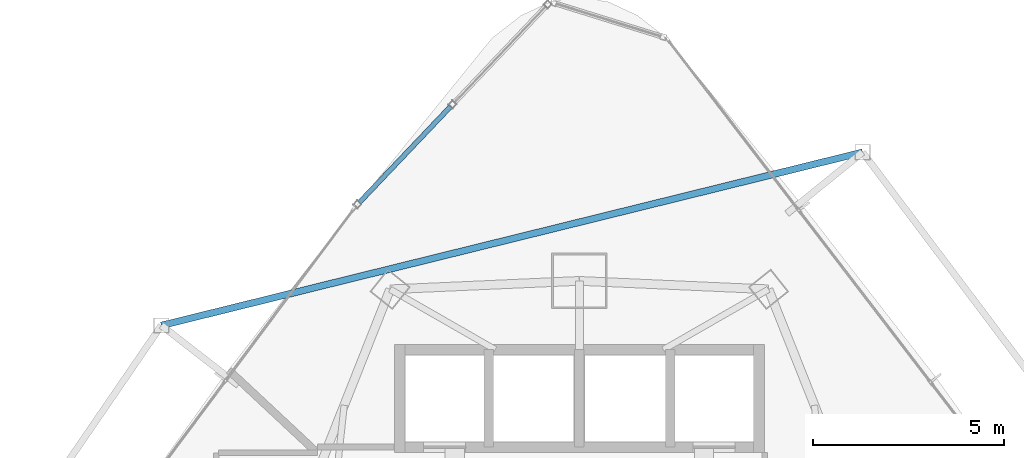
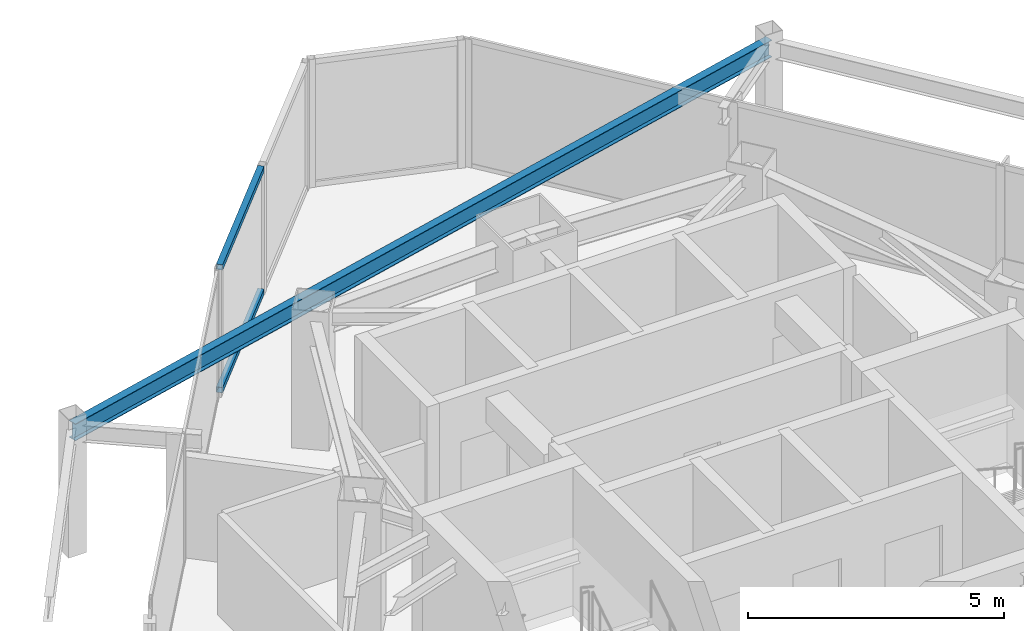
# One storey, part 21 of 30: 2 members, 1 beam, 1 element without a shape of its own.
"""IFC4 building model written with IfcOpenShell, lengths in metres."""

from ifc_helpers import new_model, si_unit, direction, frame, origin, origin_2d, place, context, subcontext, project, spatial, hollow_rectangle, i_section, extrude, material, layer, layer_set, material_profile, profile_set, type_object, element, aggregate, save


model = new_model("IFC4")

# Units and contexts
model_context = context("Model", 3, precision=1e-05, world=origin(), true_north=direction((0.0, 1.0)))
body_context = subcontext(model_context, "Body", "Model", "MODEL_VIEW")
ifc_project = project(units=[si_unit("LENGTHUNIT", "METRE"), si_unit("AREAUNIT", "SQUARE_METRE"), si_unit("VOLUMEUNIT", "CUBIC_METRE"), si_unit("PLANEANGLEUNIT", "RADIAN"), si_unit("MASSUNIT", "GRAM", prefix="KILO")], contexts=[model_context])

# Site, building, storey
site_placement = place(None, origin())
site = spatial("IfcSite", under=ifc_project, at=site_placement, CompositionType="ELEMENT")
building_placement = place(site_placement, origin())
building = spatial("IfcBuilding", under=site, at=building_placement, Name="Orvanel Arch Residences", CompositionType="ELEMENT")
storey_placement = place(building_placement, frame((0.0, 0.0, 139.699951171875)))
storey = spatial("IfcBuildingStorey", under=building, at=storey_placement, Name="L39", CompositionType="ELEMENT", Elevation=139.699951171875)

# Beam
ifc_material_1 = material(Name="Structural steel AS/NZS 3679.1 Grade 300 (300 MPa)", Category="steel")
ifc_material_profile_1 = material_profile(ifc_material_1, i_section(OverallWidth=0.177978515625, OverallDepth=0.406005859375, WebThickness=0.0078125, FlangeThickness=0.0126953125, at=origin_2d()), Name="410UB59.7")
ifc_profile_set_1 = profile_set([ifc_material_profile_1], Name="Structural steel AS/NZS 3679.1 Grade 300 (300 MPa)")
beam_type = type_object("IfcBeamType", Name="OB-410UB-EXT", PredefinedType="SPANDREL", material=ifc_profile_set_1)
beam_placement = place(storey_placement, frame((40.410888671875, 44.762939453125, 2.85693359375), z_axis=(-0.970835461399, -0.239746755743, 0.0), x_axis=(0.239746755743, -0.970835461399, 0.0)))
element("IfcBeam", 1, at=beam_placement, inside=storey, type_object=beam_type, Name="L39 Outer Perimeter Floor Ring Beam 12", PredefinedType="SPANDREL", context=body_context, shape_type="SweptSolid", body=[
    extrude(i_section(OverallWidth=0.177978515625, OverallDepth=0.406005859375, WebThickness=0.0078125, FlangeThickness=0.0126953125, at=origin_2d()), origin(), (0.0, 0.0, 1.0), 18.89501953125),
])

# Curtain wall, members
ifc_material_2 = material(Name="Bronze-anodised aluminium AA6063-T6", Category="aluminium")
ifc_layer = layer(ifc_material_2, 0.18994140625)
ifc_layer_set = layer_set([ifc_layer], Name="Bronze-anodised aluminium AA6063-T6")
curtain_wall_type = type_object("IfcCurtainWallType", Name="CW5-CRN-SYS", PredefinedType="NOTDEFINED", material=ifc_layer_set)
curtain_wall_placement = place(storey_placement, origin())
curtain_wall = element("IfcCurtainWall", 2, at=curtain_wall_placement, inside=storey, type_object=curtain_wall_type, Name="L39 CW5-CRN-SYS Unitised Curtain Wall", PredefinedType="NOTDEFINED")
ifc_material_profile_2 = material_profile(ifc_material_2, hollow_rectangle(XDim=0.1298828125, YDim=0.1298828125, WallThickness=0.00439453125, at=origin_2d()), Name="ALU130x130x4.5")
ifc_profile_set_2 = profile_set([ifc_material_profile_2], Name="Bronze-anodised aluminium AA6063-T6")
member_type = type_object("IfcMemberType", Name="TRN-130x130", PredefinedType="USERDEFINED", material=ifc_profile_set_2)
member_1_placement = place(storey_placement, frame((29.6318359375, 45.958740234375, 0.06494140625), z_axis=(-0.689181252122, -0.724588988133, 0.0), x_axis=(0.724588988133, -0.689181252122, 0.0)))
member_1 = element("IfcMember", 3, at=member_1_placement, type_object=member_type, Name="CW-S5 transom 2.1", ObjectType="TRANSOM", PredefinedType="USERDEFINED", context=body_context, shape_type="SweptSolid", body=[
    extrude(hollow_rectangle(XDim=0.1298828125, YDim=0.1298828125, WallThickness=0.00439453125, at=origin_2d()), origin(), (0.0, 0.0, 1.0), 3.46142578125),
])
member_2_placement = place(storey_placement, frame((29.6318359375, 45.958740234375, 2.9951171875), z_axis=(-0.689181252122, -0.724588988133, 0.0), x_axis=(0.724588988133, -0.689181252122, 0.0)))
member_2 = element("IfcMember", 4, at=member_2_placement, type_object=member_type, Name="CW-S5 transom 2.2", ObjectType="TRANSOM", PredefinedType="USERDEFINED", context=body_context, shape_type="SweptSolid", body=[
    extrude(hollow_rectangle(XDim=0.1298828125, YDim=0.1298828125, WallThickness=0.00439453125, at=origin_2d()), origin(), (0.0, 0.0, 1.0), 3.46142578125),
])
aggregate(curtain_wall, [member_1, member_2])

save(model, "model.ifc")
